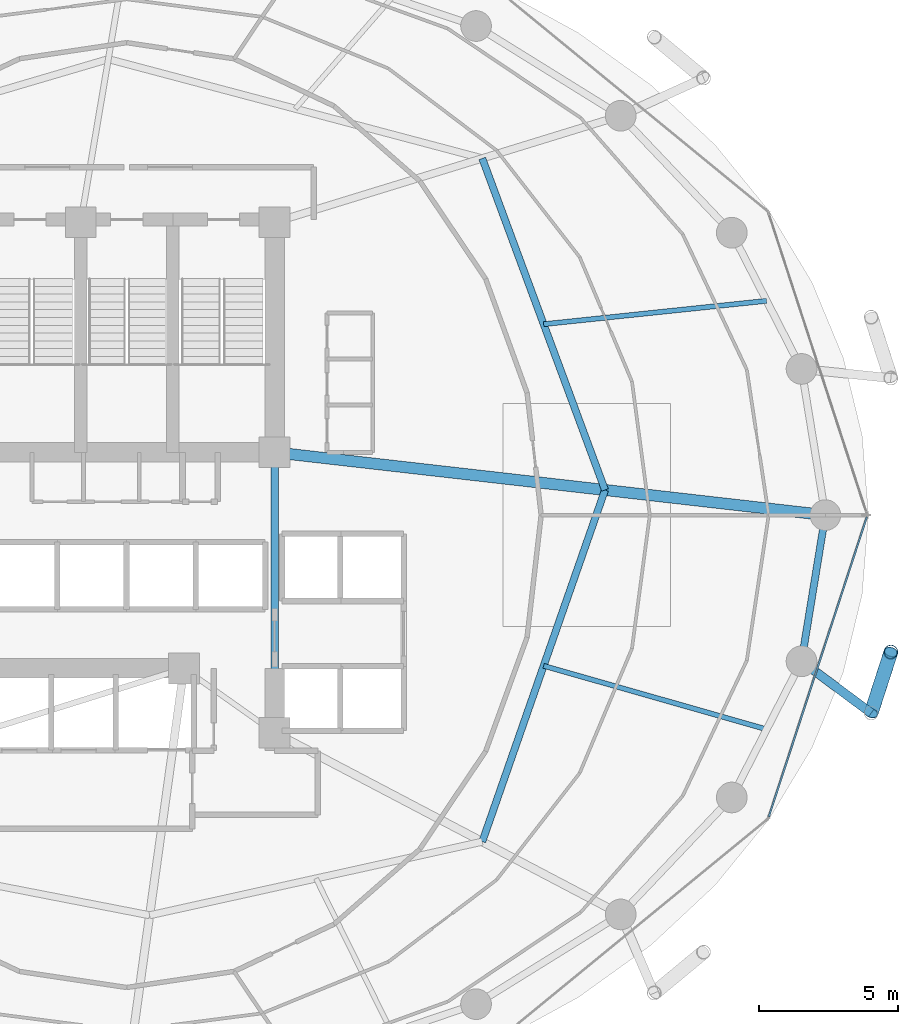
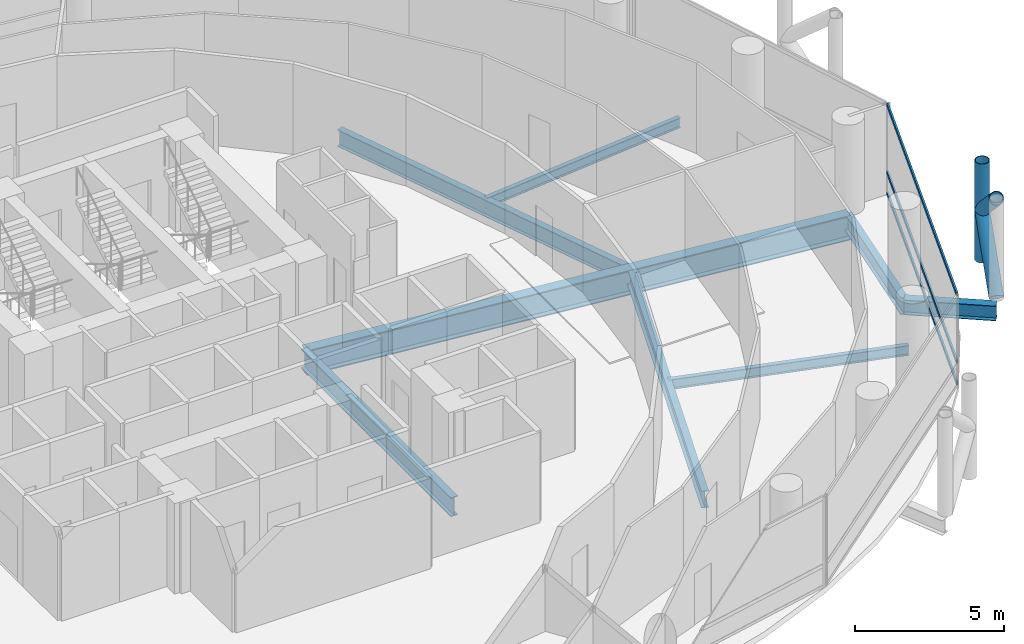
# One storey, part 11 of 27: 8 beams, 6 members, 1 element without a shape of its own.
"""IFC4 building model written with IfcOpenShell, lengths in metres."""

from ifc_helpers import new_model, si_unit, direction, frame, origin, origin_2d, place, context, subcontext, project, spatial, hollow_rectangle, hollow_circle, i_section, extrude, material, layer, layer_set, material_profile, profile_set, type_object, element, aggregate, save


model = new_model("IFC4")

# Units and contexts
model_context = context("Model", 3, precision=1e-05, world=origin(), true_north=direction((0.0, 1.0)))
body_context = subcontext(model_context, "Body", "Model", "MODEL_VIEW")
ifc_project = project(units=[si_unit("LENGTHUNIT", "METRE"), si_unit("AREAUNIT", "SQUARE_METRE"), si_unit("VOLUMEUNIT", "CUBIC_METRE"), si_unit("PLANEANGLEUNIT", "RADIAN"), si_unit("MASSUNIT", "GRAM", prefix="KILO")], contexts=[model_context])

# Site, building, storey
site_placement = place(None, origin())
site = spatial("IfcSite", under=ifc_project, at=site_placement, CompositionType="ELEMENT")
building_placement = place(site_placement, origin())
building = spatial("IfcBuilding", under=site, at=building_placement, Name="Nuhasar Tower", CompositionType="ELEMENT")
storey_placement = place(building_placement, frame((0.0, 0.0, 102.0)))
storey = spatial("IfcBuildingStorey", under=building, at=storey_placement, Name="L24", CompositionType="ELEMENT", Elevation=102.0)

# Beams
ifc_material_1 = material(Name="Steel S355", Category="steel")
ifc_material_profile_1 = material_profile(ifc_material_1, i_section(OverallWidth=0.25390625, OverallDepth=0.68408203125, WebThickness=0.012451171875, FlangeThickness=0.018798828125, at=origin_2d()), Name="W27X94")
ifc_profile_set_1 = profile_set([ifc_material_profile_1], Name="Steel S355")
beam_type_1 = type_object("IfcBeamType", Name="BM-INRING-W27X94", PredefinedType="BEAM", material=ifc_profile_set_1)
beam_1_placement = place(storey_placement, frame((51.748046875, 15.089111328125, -0.592041015625), z_axis=(0.329554049858, 0.944136710558, 0.0), x_axis=(-0.944136710558, 0.329554049858, 0.0)))
element("IfcBeam", 1, at=beam_1_placement, inside=storey, type_object=beam_type_1, Name="L24 Inner Header Beam 03", PredefinedType="BEAM", context=body_context, shape_type="SweptSolid", body=[
    extrude(i_section(OverallWidth=0.25390625, OverallDepth=0.68408203125, WebThickness=0.012451171875, FlangeThickness=0.018798828125, at=origin_2d()), origin(), (0.0, 0.0, 1.0), 13.35693359375),
])
beam_2_placement = place(storey_placement, frame((56.14990234375, 27.699951171875, -0.592041015625), z_axis=(-0.34715757476, 0.937806812881, 0.0), x_axis=(-0.937806812881, -0.34715757476, 0.0)))
element("IfcBeam", 2, at=beam_2_placement, inside=storey, type_object=beam_type_1, Name="L24 Inner Header Beam 04", PredefinedType="BEAM", context=body_context, shape_type="SweptSolid", body=[
    extrude(i_section(OverallWidth=0.25390625, OverallDepth=0.68408203125, WebThickness=0.012451171875, FlangeThickness=0.018798828125, at=origin_2d()), origin(), (0.0, 0.0, 1.0), 12.6796875),
])
ifc_material_profile_2 = material_profile(ifc_material_1, i_section(OverallWidth=0.177978515625, OverallDepth=0.406005859375, WebThickness=0.0078125, FlangeThickness=0.0126953125, at=origin_2d()), Name="W16X40")
ifc_profile_set_2 = profile_set([ifc_material_profile_2], Name="Steel S355")
beam_type_2 = type_object("IfcBeamType", Name="BM-JST-W16X40", PredefinedType="JOIST", material=ifc_profile_set_2)
beam_3_placement = place(storey_placement, frame((53.948974609375, 21.39501953125, -0.452880859375), z_axis=(0.961730884496, -0.273995813484, 0.0), x_axis=(0.273995813484, 0.961730884496, 0.0)))
element("IfcBeam", 3, at=beam_3_placement, inside=storey, type_object=beam_type_2, Name="L24 Secondary Floor Joist 03", PredefinedType="JOIST", context=body_context, shape_type="SweptSolid", body=[
    extrude(i_section(OverallWidth=0.177978515625, OverallDepth=0.406005859375, WebThickness=0.0078125, FlangeThickness=0.0126953125, at=origin_2d()), origin(), (0.0, 0.0, 1.0), 8.314208984375),
])
beam_4_placement = place(storey_placement, frame((53.948974609375, 33.64501953125, -0.452880859375), z_axis=(0.994554594377, 0.104216883485, 0.0), x_axis=(-0.104216883485, 0.994554594377, 0.0)))
element("IfcBeam", 4, at=beam_4_placement, inside=storey, type_object=beam_type_2, Name="L24 Secondary Floor Joist 04", PredefinedType="JOIST", context=body_context, shape_type="SweptSolid", body=[
    extrude(i_section(OverallWidth=0.177978515625, OverallDepth=0.406005859375, WebThickness=0.0078125, FlangeThickness=0.0126953125, at=origin_2d()), origin(), (0.0, 0.0, 1.0), 8.039794921875),
])
ifc_material_profile_3 = material_profile(ifc_material_1, i_section(OverallWidth=0.26611328125, OverallDepth=0.779052734375, WebThickness=0.0166015625, FlangeThickness=0.030029296875, at=origin_2d()), Name="W30X148")
ifc_profile_set_3 = profile_set([ifc_material_profile_3], Name="Steel S355")
beam_type_3 = type_object("IfcBeamType", Name="BM-RAD-W30X148", PredefinedType="BEAM", material=ifc_profile_set_3)
beam_5_placement = place(storey_placement, frame((44.300048828125, 19.0, -0.638916015625), z_axis=(0.0, 1.0, 0.0), x_axis=(-1.0, 0.0, 0.0)))
element("IfcBeam", 5, at=beam_5_placement, inside=storey, type_object=beam_type_3, Name="L24 Core Ring Girder 3", PredefinedType="BEAM", context=body_context, shape_type="SweptSolid", body=[
    extrude(i_section(OverallWidth=0.26611328125, OverallDepth=0.779052734375, WebThickness=0.0166015625, FlangeThickness=0.030029296875, at=origin_2d()), origin(), (0.0, 0.0, 1.0), 10.050048828125),
])
ifc_material_profile_4 = material_profile(ifc_material_1, i_section(OverallWidth=0.256103515625, OverallDepth=0.693115234375, WebThickness=0.014404296875, FlangeThickness=0.023681640625, at=origin_2d()), Name="W27X114")
ifc_profile_set_4 = profile_set([ifc_material_profile_4], Name="Steel S355")
beam_type_4 = type_object("IfcBeamType", Name="BM-RING-W27X114", PredefinedType="SPANDREL", material=ifc_profile_set_4)
beam_6_placement = place(storey_placement, frame((63.196044921875, 21.55908203125, -0.596923828125), z_axis=(0.160826635486, 0.986982671235, 0.0), x_axis=(-0.986982671235, 0.160826635486, 0.0)))
element("IfcBeam", 6, at=beam_6_placement, inside=storey, type_object=beam_type_4, Name="L24 Perimeter Ring Spandrel 24", PredefinedType="SPANDREL", context=body_context, shape_type="SweptSolid", body=[
    extrude(i_section(OverallWidth=0.256103515625, OverallDepth=0.693115234375, WebThickness=0.014404296875, FlangeThickness=0.023681640625, at=origin_2d()), origin(), (0.0, 0.0, 1.0), 5.31005859375),
])
ifc_material_profile_5 = material_profile(ifc_material_1, i_section(OverallWidth=0.323974609375, OverallDepth=0.611083984375, WebThickness=0.0126953125, FlangeThickness=0.01904296875, at=origin_2d()), Name="W24X104")
ifc_profile_set_5 = profile_set([ifc_material_profile_5], Name="Steel S355")
beam_type_5 = type_object("IfcBeamType", Name="BM-TIE-W24X104", PredefinedType="BEAM", material=ifc_profile_set_5)
beam_7_placement = place(storey_placement, frame((63.196044921875, 21.55908203125, -0.554931640625), z_axis=(0.802113478067, -0.597171640572, 0.0), x_axis=(0.597171640572, 0.802113478067, 0.0)))
element("IfcBeam", 7, at=beam_7_placement, inside=storey, type_object=beam_type_5, Name="L24 Exoskeleton Node Tie Beam 12", PredefinedType="BEAM", context=body_context, shape_type="SweptSolid", body=[
    extrude(i_section(OverallWidth=0.323974609375, OverallDepth=0.611083984375, WebThickness=0.0126953125, FlangeThickness=0.01904296875, at=origin_2d()), origin(), (0.0, 0.0, 1.0), 3.111572265625),
])
ifc_material_2 = material(Name="Steel S460", Category="steel")
ifc_material_profile_6 = material_profile(ifc_material_2, i_section(OverallWidth=0.40087890625, OverallDepth=1.010009765625, WebThickness=0.023681640625, FlangeThickness=0.0419921875, at=origin_2d()), Name="W40X297")
ifc_profile_set_6 = profile_set([ifc_material_profile_6], Name="Steel S460")
beam_type_6 = type_object("IfcBeamType", Name="BM-XFER-W40X297", PredefinedType="USERDEFINED", material=ifc_profile_set_6)
beam_8_placement = place(storey_placement, frame((44.300048828125, 29.050048828125, -0.7548828125), z_axis=(0.993573147212, -0.113191877531, 0.0), x_axis=(0.113191877531, 0.993573147212, 0.0)))
element("IfcBeam", 8, at=beam_8_placement, inside=storey, type_object=beam_type_6, Name="L24 Radial Floor Girder 04", ObjectType="GIRDER", PredefinedType="USERDEFINED", context=body_context, shape_type="SweptSolid", body=[
    extrude(i_section(OverallWidth=0.40087890625, OverallDepth=1.010009765625, WebThickness=0.023681640625, FlangeThickness=0.0419921875, at=origin_2d()), origin(), (0.0, 0.0, 1.0), 19.877685546875),
])

# Curtain wall, members
ifc_material_3 = material(Name="Aluminium 6063-T6", Category="aluminium")
ifc_layer = layer(ifc_material_3, 0.199951171875)
ifc_layer_set = layer_set([ifc_layer], Name="Aluminium 6063-T6")
curtain_wall_type = type_object("IfcCurtainWallType", Name="CW-Z1-OFF", PredefinedType="NOTDEFINED", material=ifc_layer_set)
curtain_wall_placement = place(storey_placement, origin())
curtain_wall = element("IfcCurtainWall", 9, at=curtain_wall_placement, inside=storey, type_object=curtain_wall_type, Name="L24 Unitised Curtain Wall 12", PredefinedType="NOTDEFINED")
ifc_material_profile_7 = material_profile(ifc_material_3, hollow_rectangle(XDim=0.06494140625, YDim=0.14990234375, WallThickness=0.00439453125, at=origin_2d()), Name="CWT-2")
ifc_profile_set_7 = profile_set([ifc_material_profile_7], Name="Aluminium 6063-T6")
member_type_1 = type_object("IfcMemberType", Name="CW-TRN-S2", PredefinedType="USERDEFINED", material=ifc_profile_set_7)
member_1_placement = place(storey_placement, frame((62.022216796875, 15.981689453125, 0.032470703125), z_axis=(0.310818687697, 0.950469222741, 0.0), x_axis=(-0.950469222741, 0.310818687697, 0.0)))
member_1 = element("IfcMember", 10, at=member_1_placement, type_object=member_type_1, Name="CW-Z1 transom 1.1", ObjectType="TRANSOM", PredefinedType="USERDEFINED", context=body_context, shape_type="SweptSolid", body=[
    extrude(hollow_rectangle(XDim=0.06494140625, YDim=0.14990234375, WallThickness=0.00439453125, at=origin_2d()), origin(), (0.0, 0.0, 1.0), 11.317138671875),
])
member_2_placement = place(storey_placement, frame((62.022216796875, 15.981689453125, 0.89990234375), z_axis=(0.310818687697, 0.950469222741, 0.0), x_axis=(-0.950469222741, 0.310818687697, 0.0)))
member_2 = element("IfcMember", 11, at=member_2_placement, type_object=member_type_1, Name="CW-Z1 transom 1.2", ObjectType="TRANSOM", PredefinedType="USERDEFINED", context=body_context, shape_type="SweptSolid", body=[
    extrude(hollow_rectangle(XDim=0.06494140625, YDim=0.14990234375, WallThickness=0.00439453125, at=origin_2d()), origin(), (0.0, 0.0, 1.0), 11.317138671875),
])
member_3_placement = place(storey_placement, frame((62.022216796875, 15.981689453125, 3.66748046875), z_axis=(0.310818687697, 0.950469222741, 0.0), x_axis=(-0.950469222741, 0.310818687697, 0.0)))
member_3 = element("IfcMember", 12, at=member_3_placement, type_object=member_type_1, Name="CW-Z1 transom 1.3", ObjectType="TRANSOM", PredefinedType="USERDEFINED", context=body_context, shape_type="SweptSolid", body=[
    extrude(hollow_rectangle(XDim=0.06494140625, YDim=0.14990234375, WallThickness=0.00439453125, at=origin_2d()), origin(), (0.0, 0.0, 1.0), 11.317138671875),
])
aggregate(curtain_wall, [member_1, member_2, member_3])

# Members
ifc_material_profile_8 = material_profile(ifc_material_2, hollow_circle(Radius=0.25390625, WallThickness=0.025390625, at=origin_2d()), Name="HSS508X25.4")
ifc_profile_set_8 = profile_set([ifc_material_profile_8], Name="Steel S460")
member_type_2 = type_object("IfcMemberType", Name="EXO-BRONZE-508", PredefinedType="BRACE", material=ifc_profile_set_8)
member_4_placement = place(storey_placement, frame((66.39990234375, 21.889892578125, 0.0), z_axis=(0.0, 0.0, 1.0), x_axis=(1.0, 0.0, 0.0)))
element("IfcMember", 13, at=member_4_placement, inside=storey, type_object=member_type_2, Name="L24 Exoskeleton Chord Column EC-12B", PredefinedType="BRACE", context=body_context, shape_type="SweptSolid", body=[
    extrude(hollow_circle(Radius=0.25390625, WallThickness=0.025390625, at=origin_2d()), origin(), (0.0, 0.0, 1.0), 4.050048828125),
])
member_5_placement = place(storey_placement, frame((65.69189453125, 19.700927734375, 0.0), z_axis=(0.231011836313, 0.714224870475, 0.660693851854), x_axis=(-0.951468282519, 0.307746823478, 0.0)))
element("IfcMember", 14, at=member_5_placement, inside=storey, type_object=member_type_2, Name="L24 Bronze Diagrid Brace W1-12", PredefinedType="BRACE", context=body_context, shape_type="SweptSolid", body=[
    extrude(hollow_circle(Radius=0.25390625, WallThickness=0.025390625, at=origin_2d()), origin(), (0.0, 0.0, 1.0), 3.064697265625),
])
member_6_placement = place(storey_placement, frame((66.39990234375, 21.889892578125, 2.02490234375), z_axis=(-0.230999678299, -0.714187281251, 0.660738734997), x_axis=(0.951468282519, -0.307746823478, 0.0)))
element("IfcMember", 15, at=member_6_placement, inside=storey, type_object=member_type_2, Name="L24 Bronze Diagrid Brace W2-12", PredefinedType="BRACE", context=body_context, shape_type="SweptSolid", body=[
    extrude(hollow_circle(Radius=0.25390625, WallThickness=0.025390625, at=origin_2d()), origin(), (0.0, 0.0, 1.0), 3.06494140625),
])

save(model, "model.ifc")
